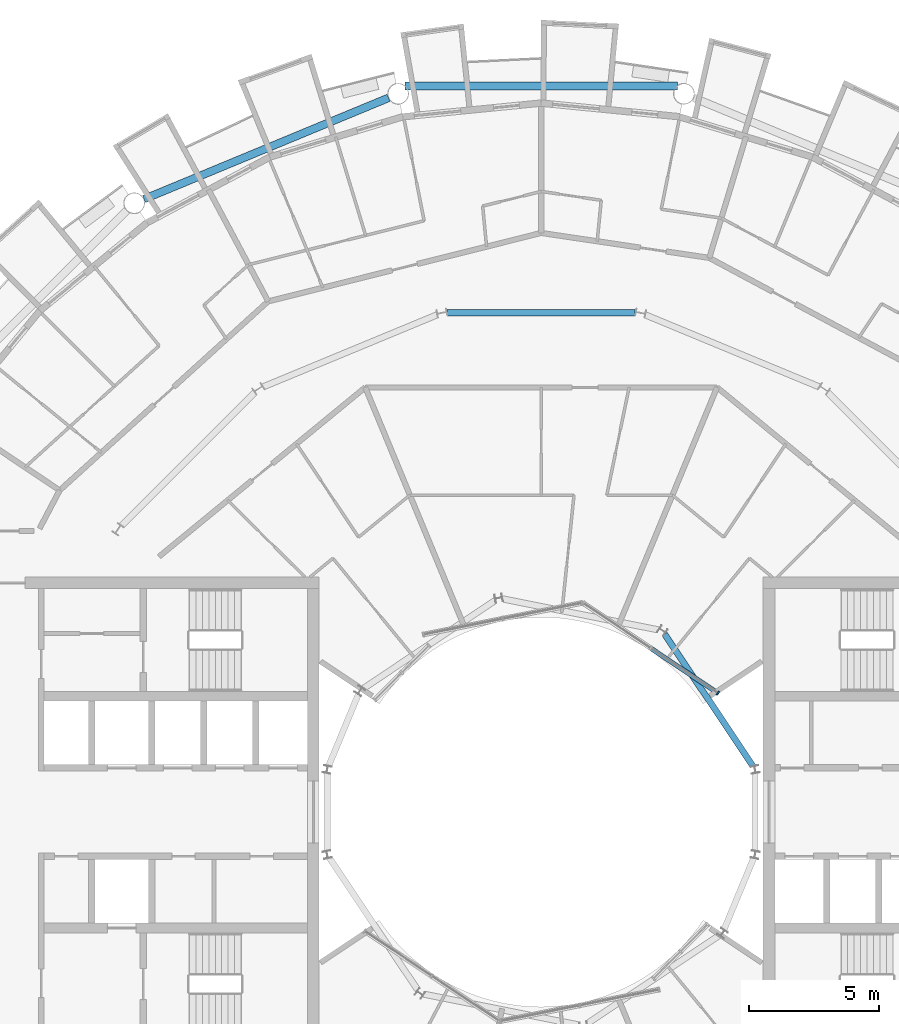
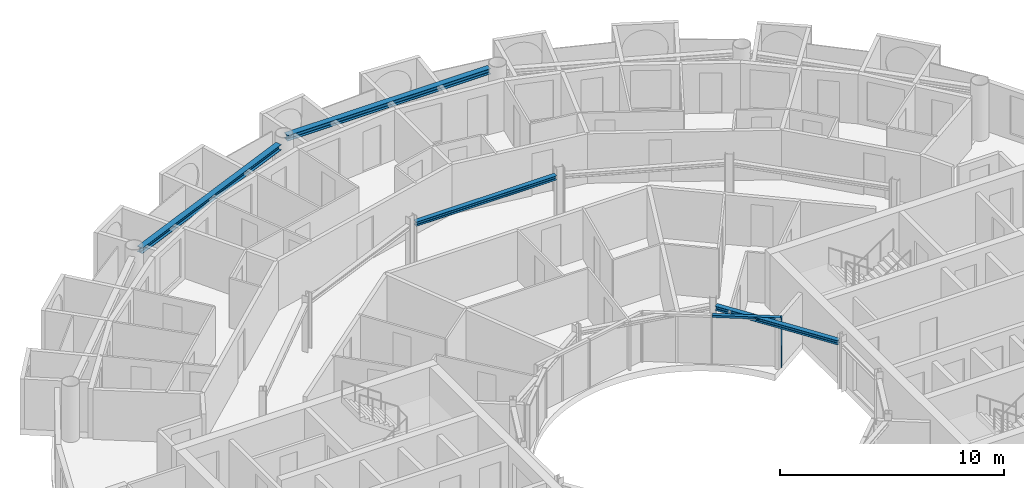
# One storey, part 10 of 29: 4 beams, 2 members, 1 element without a shape of its own.
"""IFC4 building model written with IfcOpenShell, lengths in metres."""

from ifc_helpers import new_model, si_unit, direction, frame, origin, origin_2d, place, context, subcontext, project, spatial, rectangle, i_section, extrude, material, layer, layer_set, material_profile, profile_set, type_object, element, aggregate, save


model = new_model("IFC4")

# Units and contexts
model_context = context("Model", 3, precision=1e-05, world=origin(), true_north=direction((0.0, 1.0)))
body_context = subcontext(model_context, "Body", "Model", "MODEL_VIEW")
ifc_project = project(units=[si_unit("LENGTHUNIT", "METRE"), si_unit("AREAUNIT", "SQUARE_METRE"), si_unit("VOLUMEUNIT", "CUBIC_METRE"), si_unit("PLANEANGLEUNIT", "RADIAN"), si_unit("MASSUNIT", "GRAM", prefix="KILO")], contexts=[model_context])

# Site, building, storey
site_placement = place(None, origin())
site = spatial("IfcSite", under=ifc_project, at=site_placement, CompositionType="ELEMENT")
building_placement = place(site_placement, origin())
building = spatial("IfcBuilding", under=site, at=building_placement, Name="Maasbend Ring Residences", CompositionType="ELEMENT")
storey_placement = place(building_placement, frame((0.0, 0.0, 215.75)))
storey = spatial("IfcBuildingStorey", under=building, at=storey_placement, Name="L62", CompositionType="ELEMENT", Elevation=215.75)

# Curtain wall, members
ifc_material_1 = material(Name="Aluminium and clear glass", Category="aluminium")
ifc_layer = layer(ifc_material_1, 0.179931640625)
ifc_layer_set = layer_set([ifc_layer], Name="CW-W")
curtain_wall_type = type_object("IfcCurtainWallType", Name="CW-W", PredefinedType="NOTDEFINED", material=ifc_layer_set)
curtain_wall_placement = place(storey_placement, origin())
curtain_wall = element("IfcCurtainWall", 1, at=curtain_wall_placement, inside=storey, type_object=curtain_wall_type, Name="Well curtain wall N1", PredefinedType="NOTDEFINED")
ifc_material_2 = material(Name="Aluminium 6063-T6", Category="aluminium")
ifc_material_profile_1 = material_profile(ifc_material_2, rectangle(XDim=0.179931640625, YDim=0.06005859375, at=origin_2d()), Name="AL 180x60")
ifc_profile_set_1 = profile_set([ifc_material_profile_1], Name="Aluminium 6063-T6")
member_type_1 = type_object("IfcMemberType", Name="CWM-W", PredefinedType="MULLION", material=ifc_profile_set_1)
member_1_placement = place(storey_placement, frame((6.805908203125, 4.580810546875, 0.0), z_axis=(0.0, 0.0, 1.0), x_axis=(-0.55557023302, -0.831469612303, 0.0)))
member_1 = element("IfcMember", 2, at=member_1_placement, type_object=member_type_1, Name="Mullion well face", PredefinedType="MULLION", context=body_context, shape_type="SweptSolid", body=[
    extrude(rectangle(XDim=0.179931640625, YDim=0.06005859375, at=origin_2d()), origin(), (0.0, 0.0, 1.0), 2.699951171875),
])
ifc_material_3 = material(Name="Aluminium 6063-T6", Category="aluminium")
ifc_material_profile_2 = material_profile(ifc_material_3, rectangle(XDim=0.179931640625, YDim=0.1201171875, at=origin_2d()), Name="AL 180x120")
ifc_profile_set_2 = profile_set([ifc_material_profile_2], Name="Aluminium 6063-T6")
member_type_2 = type_object("IfcMemberType", Name="CWT-W", PredefinedType="USERDEFINED", material=ifc_profile_set_2)
member_2_placement = place(storey_placement, frame((6.781005859375, 4.59765625, 2.639892578125), z_axis=(-0.831496422459, 0.555530106689, 0.0), x_axis=(-0.555530106689, -0.831496422459, 0.0)))
member_2 = element("IfcMember", 3, at=member_2_placement, type_object=member_type_2, Name="Transom well face", ObjectType="TRANSOM", PredefinedType="USERDEFINED", context=body_context, shape_type="SweptSolid", body=[
    extrude(rectangle(XDim=0.179931640625, YDim=0.1201171875, at=origin_2d()), origin(), (0.0, 0.0, 1.0), 3.053955078125),
])
aggregate(curtain_wall, [member_1, member_2])

# Beams
ifc_material_4 = material(Name="Steel S355J2", Category="steel")
ifc_material_profile_3 = material_profile(ifc_material_4, i_section(OverallWidth=0.239990234375, OverallDepth=0.22998046875, WebThickness=0.007568359375, FlangeThickness=0.011962890625, FilletRadius=0.02099609375, at=origin_2d()), Name="HEA 240")
ifc_profile_set_3 = profile_set([ifc_material_profile_3], Name="Steel S355J2")
beam_type_1 = type_object("IfcBeamType", Name="Corridor ring beam HEA 240", PredefinedType="BEAM", material=ifc_profile_set_3)
beam_1_placement = place(storey_placement, frame((3.619873046875, 19.223388671875, 2.5849609375), z_axis=(-1.0, 0.0, 0.0), x_axis=(0.0, -1.0, 0.0)))
element("IfcBeam", 4, at=beam_1_placement, inside=storey, type_object=beam_type_1, Name="Corridor ring beam", PredefinedType="BEAM", context=body_context, shape_type="SweptSolid", body=[
    extrude(i_section(OverallWidth=0.239990234375, OverallDepth=0.22998046875, WebThickness=0.007568359375, FlangeThickness=0.011962890625, FilletRadius=0.02099609375, at=origin_2d()), origin(), (0.0, 0.0, 1.0), 7.23974609375),
])
ifc_material_5 = material(Name="Steel S355J2", Category="steel")
ifc_material_profile_4 = material_profile(ifc_material_5, i_section(OverallWidth=0.300048828125, OverallDepth=0.300048828125, WebThickness=0.010986328125, FlangeThickness=0.01904296875, FilletRadius=0.027099609375, at=origin_2d()), Name="HEB 300")
ifc_profile_set_4 = profile_set([ifc_material_profile_4], Name="Steel S355J2")
beam_type_2 = type_object("IfcBeamType", Name="Spandrel ring beam HEB 300", PredefinedType="SPANDREL", material=ifc_profile_set_4)
beam_2_placement = place(storey_placement, frame((5.2451171875, 27.9580078125, 2.550048828125), z_axis=(-1.0, 0.0, 0.0), x_axis=(0.0, -1.0, 0.0)))
element("IfcBeam", 5, at=beam_2_placement, inside=storey, type_object=beam_type_2, Name="Spandrel ring beam", PredefinedType="SPANDREL", context=body_context, shape_type="SweptSolid", body=[
    extrude(i_section(OverallWidth=0.300048828125, OverallDepth=0.300048828125, WebThickness=0.010986328125, FlangeThickness=0.01904296875, FilletRadius=0.027099609375, at=origin_2d()), origin(), (0.0, 0.0, 1.0), 10.490234375),
])
beam_3_placement = place(storey_placement, frame((-5.877197265625, 27.50244140625, 2.550048828125), z_axis=(-0.923883676188, -0.382673428492, 0.0), x_axis=(0.382673428492, -0.923883676188, 0.0)))
element("IfcBeam", 6, at=beam_3_placement, inside=storey, type_object=beam_type_2, Name="Spandrel ring beam", PredefinedType="SPANDREL", context=body_context, shape_type="SweptSolid", body=[
    extrude(i_section(OverallWidth=0.300048828125, OverallDepth=0.300048828125, WebThickness=0.010986328125, FlangeThickness=0.01904296875, FilletRadius=0.027099609375, at=origin_2d()), origin(), (0.0, 0.0, 1.0), 10.18994140625),
])
ifc_material_6 = material(Name="Steel S355J2", Category="steel")
ifc_material_profile_5 = material_profile(ifc_material_6, i_section(OverallWidth=0.239990234375, OverallDepth=0.22998046875, WebThickness=0.007568359375, FlangeThickness=0.011962890625, FilletRadius=0.02099609375, at=origin_2d()), Name="HEA 240")
ifc_profile_set_5 = profile_set([ifc_material_profile_5], Name="Steel S355J2")
beam_type_3 = type_object("IfcBeamType", Name="Well edge beam HEA 240", PredefinedType="BEAM", material=ifc_profile_set_5)
beam_4_placement = place(storey_placement, frame((8.1513671875, 1.769287109375, 2.5849609375), z_axis=(-0.555584356119, 0.831460175376, 0.0), x_axis=(-0.831460175376, -0.555584356119, 0.0)))
element("IfcBeam", 7, at=beam_4_placement, inside=storey, type_object=beam_type_3, Name="Well edge beam", PredefinedType="BEAM", context=body_context, shape_type="SweptSolid", body=[
    extrude(i_section(OverallWidth=0.239990234375, OverallDepth=0.22998046875, WebThickness=0.007568359375, FlangeThickness=0.011962890625, FilletRadius=0.02099609375, at=origin_2d()), origin(), (0.0, 0.0, 1.0), 6.115234375),
])

save(model, "model.ifc")
